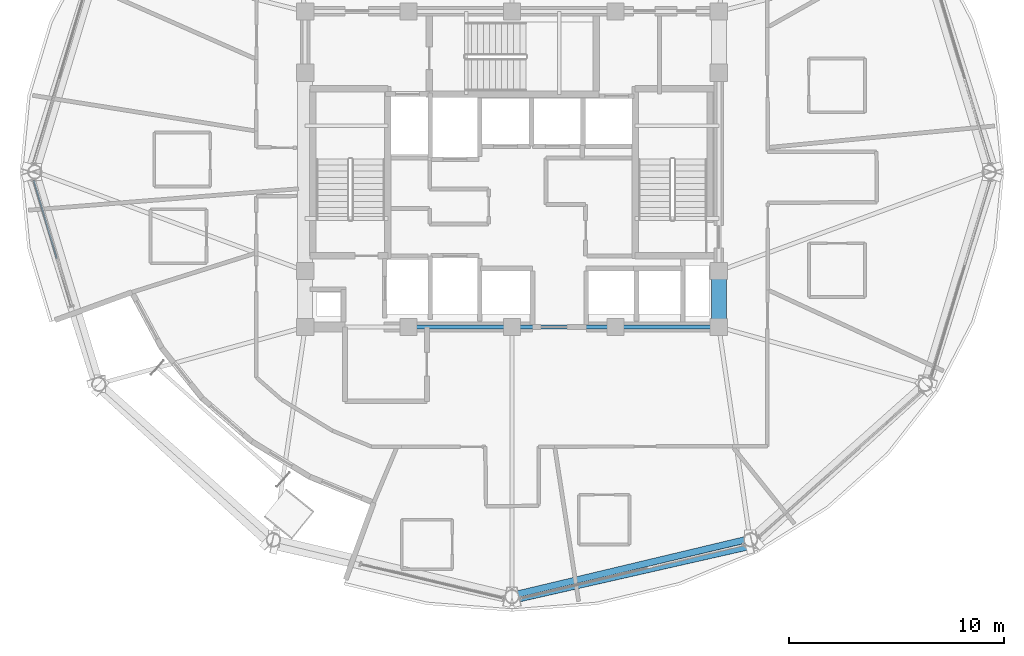
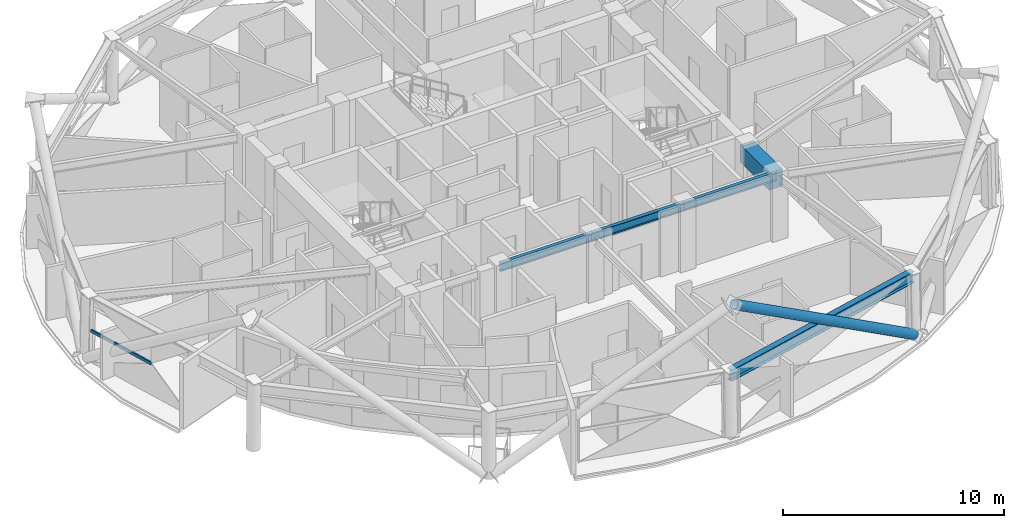
# One storey, part 3 of 18: 5 beams, 2 members, 1 element without a shape of its own.
"""IFC4 building model written with IfcOpenShell, lengths in metres."""

from ifc_helpers import new_model, si_unit, direction, frame, origin, origin_2d, place, context, subcontext, project, spatial, rectangle, hollow_rectangle, hollow_circle, i_section, extrude, material, layer, layer_set, material_profile, profile_set, type_object, element, aggregate, save


model = new_model("IFC4")

# Units and contexts
model_context = context("Model", 3, precision=1e-05, world=origin(), true_north=direction((0.0, 1.0)))
body_context = subcontext(model_context, "Body", "Model", "MODEL_VIEW")
ifc_project = project(units=[si_unit("LENGTHUNIT", "METRE"), si_unit("AREAUNIT", "SQUARE_METRE"), si_unit("VOLUMEUNIT", "CUBIC_METRE"), si_unit("PLANEANGLEUNIT", "RADIAN"), si_unit("MASSUNIT", "GRAM", prefix="KILO")], contexts=[model_context])

# Site, building, storey
site_placement = place(None, origin())
site = spatial("IfcSite", under=ifc_project, at=site_placement, CompositionType="ELEMENT")
building_placement = place(site_placement, origin())
building = spatial("IfcBuilding", under=site, at=building_placement, Name="Vantalir Tower", CompositionType="ELEMENT")
storey_placement = place(building_placement, frame((0.0, 0.0, 212.39990234375)))
storey = spatial("IfcBuildingStorey", under=building, at=storey_placement, Name="L53", CompositionType="ELEMENT", Elevation=212.39990234375)

# Beams
ifc_material_1 = material(Name="Concrete C60/75", Category="concrete")
ifc_material_profile_1 = material_profile(ifc_material_1, rectangle(XDim=0.699951171875, YDim=0.949951171875, at=origin_2d()), Name="Concrete C60/75")
ifc_profile_set_1 = profile_set([ifc_material_profile_1], Name="Concrete C60/75")
beam_type_1 = type_object("IfcBeamType", Name="BM-CB-700x950", PredefinedType="USERDEFINED", material=ifc_profile_set_1)
beam_1_placement = place(storey_placement, frame((41.10009765625, 17.800048828125, 3.09521484375), z_axis=(0.0, 1.0, 0.0), x_axis=(-1.0, 0.0, 0.0)))
element("IfcBeam", 1, at=beam_1_placement, inside=storey, type_object=beam_type_1, Name="L53 Core Coupling Girder 05", ObjectType="GIRDER", PredefinedType="USERDEFINED", context=body_context, shape_type="SweptSolid", body=[
    extrude(rectangle(XDim=0.699951171875, YDim=0.949951171875, at=origin_2d()), origin(), (0.0, 0.0, 1.0), 2.599853515625),
])
ifc_material_2 = material(Name="Steel S355", Category="steel")
ifc_material_profile_2 = material_profile(ifc_material_2, i_section(OverallWidth=0.19189453125, OverallDepth=0.462890625, WebThickness=0.010498046875, FlangeThickness=0.017578125, at=origin_2d()), Name="Steel S355")
ifc_profile_set_2 = profile_set([ifc_material_profile_2], Name="Steel S355")
beam_type_2 = type_object("IfcBeamType", Name="BM-RB-457x191", PredefinedType="BEAM", material=ifc_profile_set_2)
for number, where, z_axis, x_axis, name in (
    (2, (26.699951171875, 17.800048828125, 3.338134765625), (1.0, 0.0, 0.0), (0.0, 1.0, 0.0), "L53 Core Coupling Girder 02"),
    (3, (31.5, 17.800048828125, 3.338134765625), (1.0, 0.0, 0.0), (0.0, 1.0, 0.0), "L53 Core Coupling Girder 03"),
    (4, (36.300048828125, 17.800048828125, 3.338134765625), (1.0, 0.0, 0.0), (0.0, 1.0, 0.0), "L53 Core Coupling Girder 04"),
):
    element("IfcBeam", number, at=place(storey_placement, frame(where, z_axis=z_axis, x_axis=x_axis)), inside=storey, type_object=beam_type_2, Name=name, PredefinedType="BEAM", context=body_context, shape_type="SweptSolid", body=[
        extrude(i_section(OverallWidth=0.19189453125, OverallDepth=0.462890625, WebThickness=0.010498046875, FlangeThickness=0.017578125, at=origin_2d()), origin(), (0.0, 0.0, 1.0), 4.800048828125),
    ])
ifc_material_3 = material(Name="Steel S460", Category="steel")
ifc_material_profile_3 = material_profile(ifc_material_3, i_section(OverallWidth=0.306884765625, OverallDepth=0.6201171875, WebThickness=0.01416015625, FlangeThickness=0.023681640625, at=origin_2d()), Name="Steel S460")
ifc_profile_set_3 = profile_set([ifc_material_profile_3], Name="Steel S460")
beam_type_3 = type_object("IfcBeamType", Name="BM-RG-610x305", PredefinedType="USERDEFINED", material=ifc_profile_set_3)
beam_2_placement = place(storey_placement, frame((31.5, 5.339111328125, 3.260009765625), z_axis=(0.972721243769, 0.23197711508, 0.0), x_axis=(-0.23197711508, 0.972721243769, 0.0)))
element("IfcBeam", 5, at=beam_2_placement, inside=storey, type_object=beam_type_3, Name="L53 Circumferential Ring Girder 10", ObjectType="GIRDER", PredefinedType="USERDEFINED", context=body_context, shape_type="SweptSolid", body=[
    extrude(i_section(OverallWidth=0.306884765625, OverallDepth=0.6201171875, WebThickness=0.01416015625, FlangeThickness=0.023681640625, at=origin_2d()), origin(), (0.0, 0.0, 1.0), 11.353759765625),
])

# Curtain wall, member
ifc_material_4 = material(Name="Champagne-silver PVDF aluminium and double-silver Low-E glass", Category="aluminium")
ifc_layer = layer(ifc_material_4, 0.2099609375)
ifc_layer_set = layer_set([ifc_layer], Name="Champagne-silver PVDF aluminium and double-silver Low-E glass")
curtain_wall_type = type_object("IfcCurtainWallType", Name="CW-DIAMOND-Z3", PredefinedType="USERDEFINED", material=ifc_layer_set)
curtain_wall_placement = place(storey_placement, origin())
curtain_wall = element("IfcCurtainWall", 6, at=curtain_wall_placement, inside=storey, type_object=curtain_wall_type, Name="L53 Quilted Pyramid-Diamond Curtain Wall S07", ObjectType="UNITISED CURTAIN WALL", PredefinedType="USERDEFINED")
ifc_material_5 = material(Name="Champagne-silver PVDF aluminium 6063-T6", Category="aluminium")
ifc_material_profile_4 = material_profile(ifc_material_5, hollow_rectangle(XDim=0.074951171875, YDim=0.159912109375, WallThickness=0.00390625, at=origin_2d()), Name="Champagne-silver PVDF aluminium 6063-T6")
ifc_profile_set_4 = profile_set([ifc_material_profile_4], Name="Champagne-silver PVDF aluminium 6063-T6")
member_type_1 = type_object("IfcMemberType", Name="CWT-160x75", PredefinedType="USERDEFINED", material=ifc_profile_set_4)
member_1_placement = place(storey_placement, frame((9.303955078125, 24.60693359375, 1.78515625), z_axis=(0.282022968623, -0.959407653278, 0.0), x_axis=(0.959407653278, 0.282022968623, 0.0)))
member_1 = element("IfcMember", 7, at=member_1_placement, type_object=member_type_1, Name="CW-L53-S07 Pyramid Fold Ridge Transom", ObjectType="TRANSOM", PredefinedType="USERDEFINED", context=body_context, shape_type="SweptSolid", body=[
    extrude(hollow_rectangle(XDim=0.074951171875, YDim=0.159912109375, WallThickness=0.00390625, at=origin_2d()), origin(), (0.0, 0.0, 1.0), 3.780517578125),
])
aggregate(curtain_wall, [member_1])

# Member
ifc_material_profile_5 = material_profile(ifc_material_3, hollow_circle(Radius=0.25, WallThickness=0.031982421875, at=origin_2d()), Name="Steel S460")
ifc_profile_set_5 = profile_set([ifc_material_profile_5], Name="Steel S460")
member_type_2 = type_object("IfcMemberType", Name="MEM-DB-500x32", PredefinedType="BRACE", material=ifc_profile_set_5)
member_2_placement = place(storey_placement, frame((42.493896484375, 7.7099609375, 0.197021484375), z_axis=(-0.827064727535, -0.187801176446, 0.529806242502), x_axis=(0.221432653639, -0.975175666176, 0.0)))
element("IfcMember", 8, at=member_2_placement, inside=storey, type_object=member_type_2, Name="L53 Perimeter S460 Diagrid Brace R31R", PredefinedType="BRACE", context=body_context, shape_type="SweptSolid", body=[
    extrude(hollow_circle(Radius=0.25, WallThickness=0.031982421875, at=origin_2d()), origin(), (0.0, 0.0, 1.0), 13.07275390625),
])

save(model, "model.ifc")
